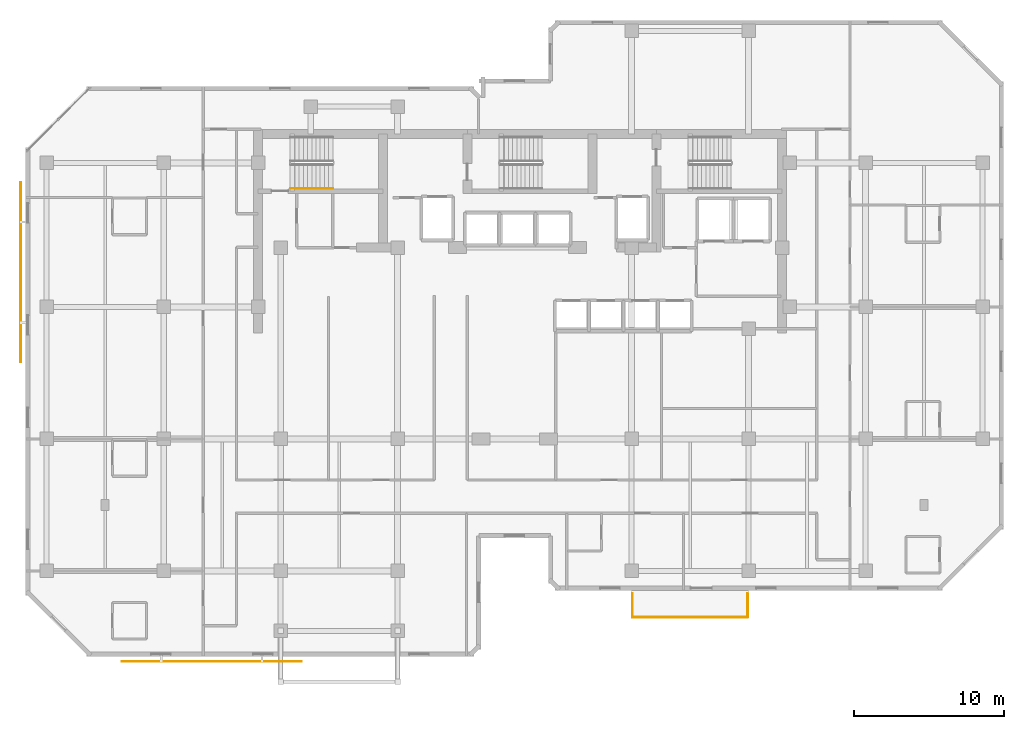
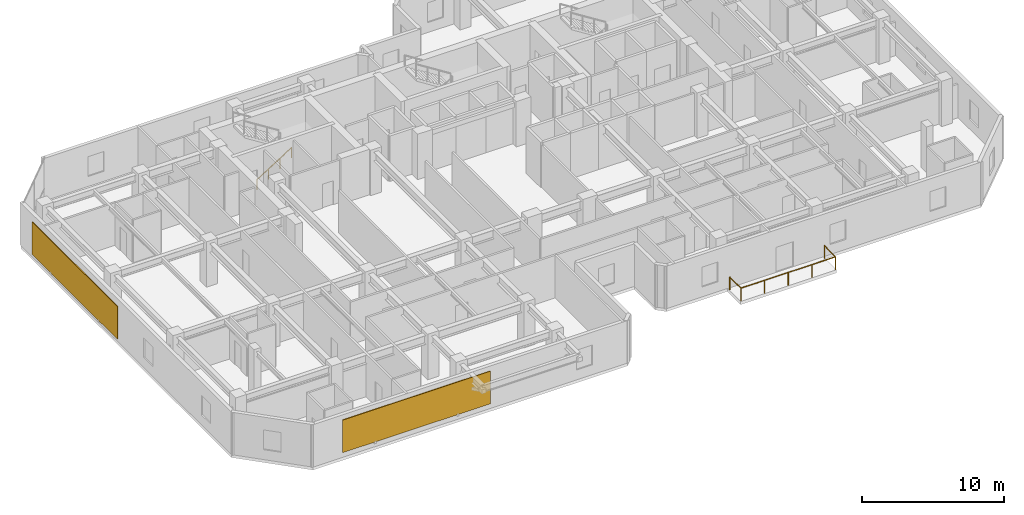
# One storey, part 9 of 10: 3 railings, 2 shading devices.
"""IFC4 building model written with IfcOpenShell, lengths in metres."""

from ifc_helpers import new_model, si_unit, direction, frame, origin, origin_2d, place, context, subcontext, project, spatial, rectangle, circle, extrude, material, layer, layer_set, type_object, element, save


model = new_model("IFC4")

# Units and contexts
model_context = context("Model", 3, precision=1e-05, world=origin(), true_north=direction((0.0, 1.0)))
body_context = subcontext(model_context, "Body", "Model", "MODEL_VIEW")
ifc_project = project(units=[si_unit("LENGTHUNIT", "METRE"), si_unit("AREAUNIT", "SQUARE_METRE"), si_unit("VOLUMEUNIT", "CUBIC_METRE"), si_unit("PLANEANGLEUNIT", "RADIAN"), si_unit("MASSUNIT", "GRAM", prefix="KILO")], contexts=[model_context])

# Site, building, storey
site_placement = place(None, origin())
site = spatial("IfcSite", under=ifc_project, at=site_placement, CompositionType="ELEMENT")
building_placement = place(site_placement, origin())
building = spatial("IfcBuilding", under=site, at=building_placement, Name="Kestravale Grand Hotel", CompositionType="ELEMENT")
storey_placement = place(building_placement, frame((0.0, 0.0, 196.800048828125)))
storey = spatial("IfcBuildingStorey", under=building, at=storey_placement, Name="L49", CompositionType="ELEMENT", Elevation=196.800048828125)

# Railings
ifc_material_1 = material(Name="Champagne-bronze stainless steel and laminated glass guard", Category="steel")
railing_type_1 = type_object("IfcRailingType", Name="RL-EXT-1100", PredefinedType="GUARDRAIL", material=ifc_material_1)
railing_1_placement = place(storey_placement, frame((46.860107421875, 8.110107421875, 0.0)))
element("IfcRailing", 1, at=railing_1_placement, inside=storey, type_object=railing_type_1, Name="L49 outdoor terrace guard 1", PredefinedType="GUARDRAIL", context=body_context, shape_type="SweptSolid", body=[
    extrude(circle(Radius=0.02392578125, at=origin_2d()), frame((0.0, 0.0, 1.09619140625), z_axis=(0.0, 1.0, 0.0), x_axis=(-1.0, 0.0, 0.0)), (0.0, 0.0, 1.0), 1.56982421875),
    extrude(circle(Radius=0.02099609375, at=origin_2d()), origin(), (0.0, 0.0, 1.0), 1.072021484375),
    extrude(circle(Radius=0.02099609375, at=origin_2d()), frame((0.0, 1.56982421875, 0.0)), (0.0, 0.0, 1.0), 1.072021484375),
])
railing_2_placement = place(storey_placement, frame((54.5400390625, 9.679931640625, 0.0)))
element("IfcRailing", 2, at=railing_2_placement, inside=storey, type_object=railing_type_1, Name="L49 outdoor terrace guard 2", PredefinedType="GUARDRAIL", context=body_context, shape_type="SweptSolid", body=[
    extrude(circle(Radius=0.02392578125, at=origin_2d()), frame((0.0, 0.0, 1.09619140625), z_axis=(0.0, -1.0, 0.0), x_axis=(1.0, 0.0, 0.0)), (0.0, 0.0, 1.0), 1.56982421875),
    extrude(circle(Radius=0.02392578125, at=origin_2d()), frame((0.0, -1.56982421875, 1.09619140625), z_axis=(-1.0, 0.0, 0.0), x_axis=(0.0, -1.0, 0.0)), (0.0, 0.0, 1.0), 7.679931640625),
    extrude(circle(Radius=0.02099609375, at=origin_2d()), origin(), (0.0, 0.0, 1.0), 1.072021484375),
    extrude(circle(Radius=0.02099609375, at=origin_2d()), frame((0.0, -1.56982421875, 0.0)), (0.0, 0.0, 1.0), 1.072021484375),
    extrude(circle(Radius=0.02099609375, at=origin_2d()), frame((-1.919921875, -1.56982421875, 0.0)), (0.0, 0.0, 1.0), 1.072021484375),
    extrude(circle(Radius=0.02099609375, at=origin_2d()), frame((-3.83984375, -1.56982421875, 0.0)), (0.0, 0.0, 1.0), 1.072021484375),
    extrude(circle(Radius=0.02099609375, at=origin_2d()), frame((-5.760009765625, -1.56982421875, 0.0)), (0.0, 0.0, 1.0), 1.072021484375),
    extrude(circle(Radius=0.02099609375, at=origin_2d()), frame((-7.679931640625, -1.56982421875, 0.0)), (0.0, 0.0, 1.0), 1.072021484375),
])
ifc_material_2 = material(Name="Brushed stainless steel wall handrail", Category="steel")
railing_type_2 = type_object("IfcRailingType", Name="RL-ST-HND900", PredefinedType="HANDRAIL", material=ifc_material_2)
railing_3_placement = place(storey_placement, frame((24.080078125, 36.699951171875, 0.17724609375)))
element("IfcRailing", 3, at=railing_3_placement, inside=storey, type_object=railing_type_2, Name="L49 ST-1 stair handrail 1", PredefinedType="HANDRAIL", context=body_context, shape_type="SweptSolid", body=[
    extrude(circle(Radius=0.02392578125, at=origin_2d()), frame((0.0, 0.0, 0.8759765625), z_axis=(0.844887892834, 0.0, 0.53494340686), x_axis=(0.0, 1.0, 0.0)), (0.0, 0.0, 1.0), 3.313720703125),
    extrude(circle(Radius=0.02099609375, at=origin_2d()), origin(), (0.0, 0.0, 1.0), 0.851806640625),
    extrude(circle(Radius=0.02099609375, at=origin_2d()), frame((0.933349609375, 0.0, 0.5908203125)), (0.0, 0.0, 1.0), 0.851806640625),
    extrude(circle(Radius=0.02099609375, at=origin_2d()), frame((1.866455078125, 0.0, 1.181884765625)), (0.0, 0.0, 1.0), 0.851806640625),
    extrude(circle(Radius=0.02099609375, at=origin_2d()), frame((2.7998046875, 0.0, 1.772705078125)), (0.0, 0.0, 1.0), 0.851806640625),
])

# Shading devices
ifc_material_3 = material(Name="Perforated champagne-bronze aluminium and ceramic solar screen", Category="aluminium")
ifc_layer = layer(ifc_material_3, 0.06494140625)
ifc_layer_set = layer_set([ifc_layer], Name="SHD-SCR-CHEV")
shading_device_type = type_object("IfcShadingDeviceType", Name="SHD-SCR-CHEV", PredefinedType="USERDEFINED", material=ifc_layer_set)
for number, where, z_axis, x_axis, name in (
    (4, (18.800048828125, 5.159912109375, 0.69970703125), (0.0, 0.0, 1.0), (1.0, 0.0, 0.0), "L49 Perforated bronze ceramic chevron solar screen SCR-L49-01"),
    (5, (6.06005859375, 31.10009765625, 0.69970703125), (0.0, 0.0, 1.0), (0.0, -1.0, 0.0), "L49 Perforated bronze ceramic chevron solar screen SCR-L49-19"),
):
    element("IfcShadingDevice", number, at=place(storey_placement, frame(where, z_axis=z_axis, x_axis=x_axis)), inside=storey, type_object=shading_device_type, Name=name, ObjectType="SCREEN", PredefinedType="USERDEFINED", context=body_context, shape_type="SweptSolid", body=[
        extrude(rectangle(XDim=12.0, YDim=0.06494140625, at=origin_2d()), origin(), (0.0, 0.0, 1.0), 2.800048828125),
    ])

save(model, "model.ifc")
